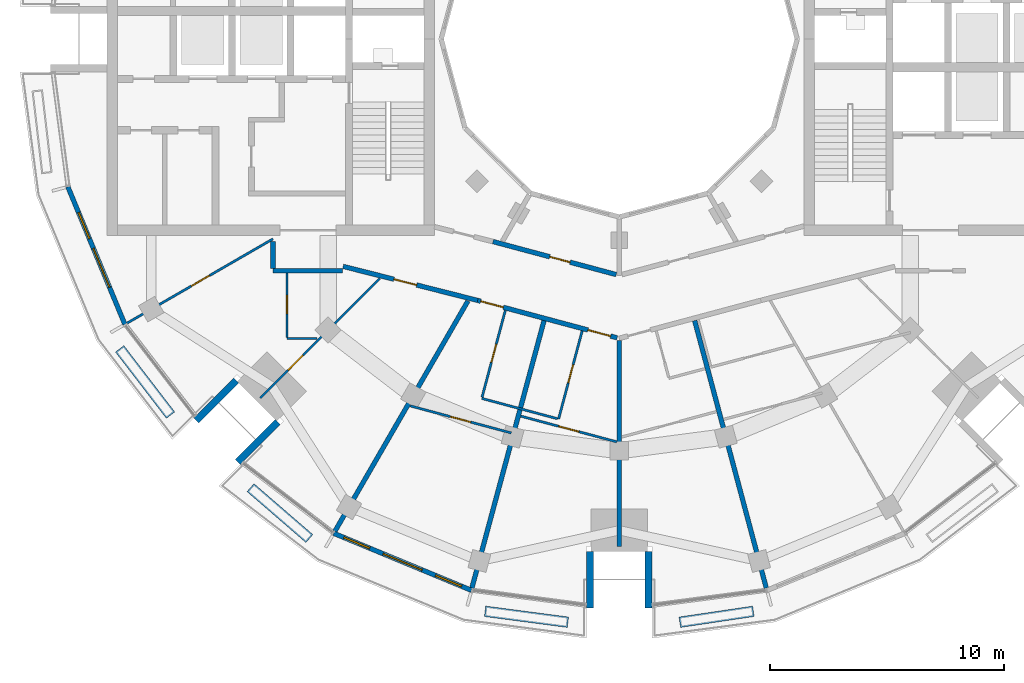
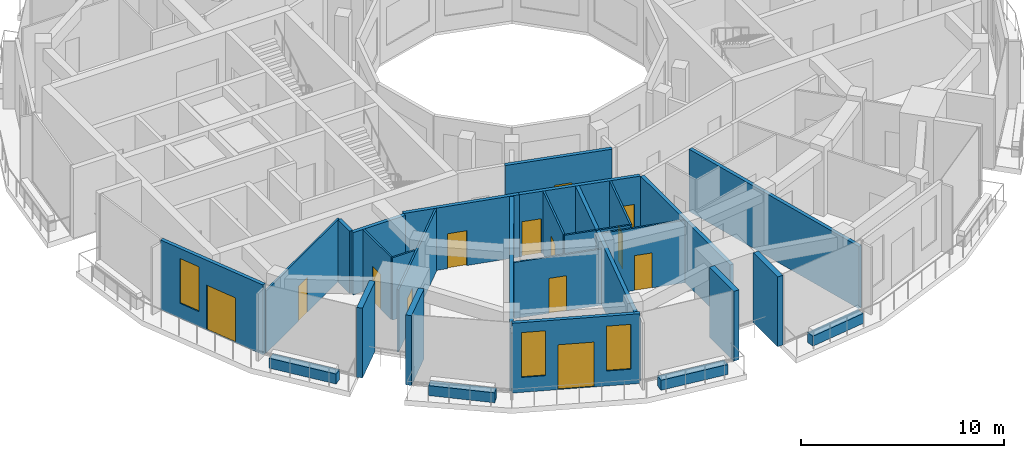
# One storey, part 8 of 17: 28 walls, 13 doors, 3 windows, 16 openings.
"""IFC4 building model written with IfcOpenShell, lengths in metres."""

from ifc_helpers import new_model, si_unit, direction, frame, frame_2d, origin, place, context, subcontext, project, spatial, rectangle, extrude, material, layer, layer_set, type_object, element, fill, save


model = new_model("IFC4")

# Units and contexts
model_context = context("Model", 3, precision=1e-05, world=origin(), true_north=direction((0.0, 1.0)))
body_context = subcontext(model_context, "Body", "Model", "MODEL_VIEW")
ifc_project = project(units=[si_unit("LENGTHUNIT", "METRE"), si_unit("AREAUNIT", "SQUARE_METRE"), si_unit("VOLUMEUNIT", "CUBIC_METRE"), si_unit("PLANEANGLEUNIT", "RADIAN"), si_unit("MASSUNIT", "GRAM", prefix="KILO")], contexts=[model_context])

# Site, building, storey
site_placement = place(None, origin())
site = spatial("IfcSite", under=ifc_project, at=site_placement, CompositionType="ELEMENT")
building_placement = place(site_placement, origin())
building = spatial("IfcBuilding", under=site, at=building_placement, Name="Torre Brocal", CompositionType="ELEMENT")
storey_placement = place(building_placement, frame((0.0, 0.0, 275.699951171875)))
storey = spatial("IfcBuildingStorey", under=building, at=storey_placement, Name="L63", CompositionType="ELEMENT", Elevation=275.699951171875)

# Wall, openings, door, window
ifc_material_1 = material(Name="Concrete C40", Category="concrete")
ifc_layer_1 = layer(ifc_material_1, 0.199951171875)
ifc_layer_set_1 = layer_set([ifc_layer_1], Name="Concrete C40")
wall_type_1 = type_object("IfcWallType", Name="EXTERNAL WALL 200", PredefinedType="NOTDEFINED", material=ifc_layer_set_1)
wall_1_placement = place(storey_placement, frame((56.43212890625, 68.68505859375, 0.0), z_axis=(0.0, 0.0, 1.0), x_axis=(0.382690319485, -0.923876679743, 0.0)))
wall_1 = element("IfcWall", 1, at=wall_1_placement, inside=storey, type_object=wall_type_1, Name="EXTERNAL WALL", PredefinedType="NOTDEFINED", context=body_context, shape_type="SweptSolid", body=[
    extrude(rectangle(XDim=6.369384765625, YDim=0.199951171875, at=frame_2d((3.1845703125, 0.0))), origin(), (0.0, 0.0, 1.0), 4.199951171875),
])
opening_1_placement = place(wall_1_placement, frame((1.199951171875, 0.0, 0.89990234375)))
opening_1 = element("IfcOpeningElement", 2, at=opening_1_placement, cuts=wall_1, Name="Opening W9", PredefinedType="OPENING", context=body_context, shape_type="SweptSolid", body=[
    extrude(rectangle(XDim=1.199951171875, YDim=2.699951171875, at=frame_2d((0.60009765625, 1.35009765625))), frame((0.0, 0.10986328125, 0.0), z_axis=(0.0, -1.0, 0.0), x_axis=(1.0, 0.0, 0.0)), (0.0, 0.0, 1.0), 0.219970703125),
])
opening_2_placement = place(wall_1_placement, frame((2.85009765625, 0.0, 0.0)))
opening_2 = element("IfcOpeningElement", 3, at=opening_2_placement, cuts=wall_1, Name="Opening L63-E05", PredefinedType="OPENING", context=body_context, shape_type="SweptSolid", body=[
    extrude(rectangle(XDim=1.800048828125, YDim=2.699951171875, at=frame_2d((0.89990234375, 1.35009765625))), frame((0.0, 0.10986328125, 0.0), z_axis=(0.0, -1.0, 0.0), x_axis=(1.0, 0.0, 0.0)), (0.0, 0.0, 1.0), 0.219970703125),
])
ifc_material_2 = material(Name="Aluminium and glass", Category="aluminium")
door_type_1 = type_object("IfcDoorType", Name="PENTHOUSE TERRACE DOUBLE DOOR 1800X2700", OperationType="DOUBLE_DOOR_SINGLE_SWING", PredefinedType="DOOR", material=ifc_material_2)
door_1_placement = place(opening_2_placement, frame((1.800048828125, 0.0, 0.0), z_axis=(0.0, 0.0, 1.0), x_axis=(-1.0, 0.0, 0.0)))
door_1 = element("IfcDoor", 4, at=door_1_placement, inside=storey, type_object=door_type_1, Name="DOOR L63-E05", OperationType="DOUBLE_DOOR_SINGLE_SWING", OverallHeight=2.699951171875, OverallWidth=1.800048828125, PredefinedType="DOOR", context=body_context, shape_type="SweptSolid", body=[
    extrude(rectangle(XDim=1.800048828125, YDim=2.699951171875, at=frame_2d((0.89990234375, 1.35009765625))), frame((0.0, 0.02490234375, 0.0), z_axis=(0.0, -1.0, 0.0), x_axis=(1.0, 0.0, 0.0)), (0.0, 0.0, 1.0), 0.050048828125),
])
fill(opening_2, door_1)
ifc_material_3 = material(Name="Aluminium and glass", Category="aluminium")
window_type = type_object("IfcWindowType", Name="PENTHOUSE TERRACE WINDOW 1200X2700", PartitioningType="SINGLE_PANEL", PredefinedType="WINDOW", material=ifc_material_3)
window_1_placement = place(opening_1_placement, origin())
window_1 = element("IfcWindow", 5, at=window_1_placement, inside=storey, type_object=window_type, Name="PENTHOUSE TERRACE WINDOW 1200X2700", OverallHeight=2.699951171875, OverallWidth=1.199951171875, PartitioningType="SINGLE_PANEL", PredefinedType="WINDOW", context=body_context, shape_type="SweptSolid", body=[
    extrude(rectangle(XDim=1.199951171875, YDim=2.699951171875, at=frame_2d((0.60009765625, 1.35009765625))), frame((0.0, 0.030029296875, 0.0), z_axis=(0.0, -1.0, 0.0), x_axis=(1.0, 0.0, 0.0)), (0.0, 0.0, 1.0), 0.06005859375),
])
fill(opening_1, window_1)

# Wall, openings, door, windows
wall_2_placement = place(storey_placement, frame((67.800537109375, 53.86962890625, 0.0), z_axis=(0.0, 0.0, 1.0), x_axis=(0.923876679743, -0.382690319485, 0.0)))
wall_2 = element("IfcWall", 6, at=wall_2_placement, inside=storey, type_object=wall_type_1, Name="EXTERNAL WALL", PredefinedType="NOTDEFINED", context=body_context, shape_type="SweptSolid", body=[
    extrude(rectangle(XDim=6.369384765625, YDim=0.199951171875, at=frame_2d((3.1845703125, 0.0))), origin(), (0.0, 0.0, 1.0), 4.199951171875),
])
opening_3_placement = place(wall_2_placement, frame((0.461669921875, 0.0, 0.89990234375)))
opening_3 = element("IfcOpeningElement", 7, at=opening_3_placement, cuts=wall_2, Name="Opening W9", PredefinedType="OPENING", context=body_context, shape_type="SweptSolid", body=[
    extrude(rectangle(XDim=1.199951171875, YDim=2.699951171875, at=frame_2d((0.60009765625, 1.35009765625))), frame((0.0, 0.10986328125, 0.0), z_axis=(0.0, -1.0, 0.0), x_axis=(1.0, 0.0, 0.0)), (0.0, 0.0, 1.0), 0.219970703125),
])
opening_4_placement = place(wall_2_placement, frame((2.28466796875, 0.0, 0.0)))
opening_4 = element("IfcOpeningElement", 8, at=opening_4_placement, cuts=wall_2, Name="Opening L63-E06", PredefinedType="OPENING", context=body_context, shape_type="SweptSolid", body=[
    extrude(rectangle(XDim=1.800048828125, YDim=2.699951171875, at=frame_2d((0.89990234375, 1.35009765625))), frame((0.0, 0.10986328125, 0.0), z_axis=(0.0, -1.0, 0.0), x_axis=(1.0, 0.0, 0.0)), (0.0, 0.0, 1.0), 0.219970703125),
])
opening_5_placement = place(wall_2_placement, frame((4.707763671875, 0.0, 0.89990234375)))
opening_5 = element("IfcOpeningElement", 9, at=opening_5_placement, cuts=wall_2, Name="Opening W9", PredefinedType="OPENING", context=body_context, shape_type="SweptSolid", body=[
    extrude(rectangle(XDim=1.199951171875, YDim=2.699951171875, at=frame_2d((0.60009765625, 1.35009765625))), frame((0.0, 0.10986328125, 0.0), z_axis=(0.0, -1.0, 0.0), x_axis=(1.0, 0.0, 0.0)), (0.0, 0.0, 1.0), 0.219970703125),
])
door_2_placement = place(opening_4_placement, frame((1.800048828125, 0.0, 0.0), z_axis=(0.0, 0.0, 1.0), x_axis=(-1.0, 0.0, 0.0)))
door_2 = element("IfcDoor", 10, at=door_2_placement, inside=storey, type_object=door_type_1, Name="DOOR L63-E06", OperationType="DOUBLE_DOOR_SINGLE_SWING", OverallHeight=2.699951171875, OverallWidth=1.800048828125, PredefinedType="DOOR", context=body_context, shape_type="SweptSolid", body=[
    extrude(rectangle(XDim=1.800048828125, YDim=2.699951171875, at=frame_2d((0.89990234375, 1.35009765625))), frame((0.0, 0.02490234375, 0.0), z_axis=(0.0, -1.0, 0.0), x_axis=(1.0, 0.0, 0.0)), (0.0, 0.0, 1.0), 0.050048828125),
])
fill(opening_4, door_2)
window_2_placement = place(opening_3_placement, origin())
window_2 = element("IfcWindow", 11, at=window_2_placement, inside=storey, type_object=window_type, Name="PENTHOUSE TERRACE WINDOW 1200X2700", OverallHeight=2.699951171875, OverallWidth=1.199951171875, PartitioningType="SINGLE_PANEL", PredefinedType="WINDOW", context=body_context, shape_type="SweptSolid", body=[
    extrude(rectangle(XDim=1.199951171875, YDim=2.699951171875, at=frame_2d((0.60009765625, 1.35009765625))), frame((0.0, 0.030029296875, 0.0), z_axis=(0.0, -1.0, 0.0), x_axis=(1.0, 0.0, 0.0)), (0.0, 0.0, 1.0), 0.06005859375),
])
fill(opening_3, window_2)
window_3_placement = place(opening_5_placement, origin())
window_3 = element("IfcWindow", 12, at=window_3_placement, inside=storey, type_object=window_type, Name="PENTHOUSE TERRACE WINDOW 1200X2700", OverallHeight=2.699951171875, OverallWidth=1.199951171875, PartitioningType="SINGLE_PANEL", PredefinedType="WINDOW", context=body_context, shape_type="SweptSolid", body=[
    extrude(rectangle(XDim=1.199951171875, YDim=2.699951171875, at=frame_2d((0.60009765625, 1.35009765625))), frame((0.0, 0.030029296875, 0.0), z_axis=(0.0, -1.0, 0.0), x_axis=(1.0, 0.0, 0.0)), (0.0, 0.0, 1.0), 0.06005859375),
])
fill(opening_5, window_3)

# Walls
ifc_material_4 = material(Name="Concrete C50", Category="concrete")
ifc_layer_2 = layer(ifc_material_4, 0.300048828125)
ifc_layer_set_2 = layer_set([ifc_layer_2], Name="Concrete C50")
wall_type_2 = type_object("IfcWallType", Name="NOTCH RETURN WALL 300 C50", PredefinedType="NOTDEFINED", material=ifc_layer_set_2)
for number, where, z_axis, x_axis, name in (
    (13, (63.63037109375, 60.398193359375, 0.0), (0.0, 0.0, 1.0), (-0.707106781187, -0.707106781187, 0.0), "NOTCH RETURN WALL"),
    (14, (65.398193359375, 58.63037109375, 0.0), (0.0, 0.0, 1.0), (-0.707106781187, -0.707106781187, 0.0), "NOTCH RETURN WALL"),
):
    element("IfcWall", number, at=place(storey_placement, frame(where, z_axis=z_axis, x_axis=x_axis)), inside=storey, type_object=wall_type_2, Name=name, PredefinedType="NOTDEFINED", context=body_context, shape_type="SweptSolid", body=[
        extrude(rectangle(XDim=2.41552734375, YDim=0.300048828125, at=frame_2d((1.207763671875, 0.0))), origin(), (0.0, 0.0, 1.0), 4.199951171875),
    ])
for number, where, z_axis, x_axis, name in (
    (15, (78.75, 53.10009765625, 0.0), (0.0, 0.0, 1.0), (0.0, -1.0, 0.0), "NOTCH RETURN WALL"),
    (16, (81.25, 53.10009765625, 0.0), (0.0, 0.0, 1.0), (0.0, -1.0, 0.0), "NOTCH RETURN WALL"),
):
    element("IfcWall", number, at=place(storey_placement, frame(where, z_axis=z_axis, x_axis=x_axis)), inside=storey, type_object=wall_type_2, Name=name, PredefinedType="NOTDEFINED", context=body_context, shape_type="SweptSolid", body=[
        extrude(rectangle(XDim=2.415771484375, YDim=0.300048828125, at=frame_2d((1.2080078125, 0.0))), origin(), (0.0, 0.0, 1.0), 4.199951171875),
    ])

# Wall, opening, door
ifc_material_5 = material(Name="Gypsum board", Category="Gypsum")
ifc_layer_3 = layer(ifc_material_5, 0.10009765625)
ifc_layer_set_3 = layer_set([ifc_layer_3], Name="Gypsum board")
wall_type_3 = type_object("IfcWallType", Name="PARTITION 100", PredefinedType="PARTITIONING", material=ifc_layer_set_3)
wall_3_placement = place(storey_placement, frame((58.95751953125, 62.851318359375, 0.0), z_axis=(0.0, 0.0, 1.0), x_axis=(0.866044015472, 0.499967762227, 0.0)))
wall_3 = element("IfcWall", 17, at=wall_3_placement, inside=storey, type_object=wall_type_3, Name="ROOM PARTITION", PredefinedType="PARTITIONING", context=body_context, shape_type="SweptSolid", body=[
    extrude(rectangle(XDim=7.2080078125, YDim=0.10009765625, at=frame_2d((3.60400390625, 0.0))), origin(), (0.0, 0.0, 1.0), 3.75),
])
opening_6_placement = place(wall_3_placement, frame((3.178955078125, 0.0, 0.0)))
opening_6 = element("IfcOpeningElement", 18, at=opening_6_placement, cuts=wall_3, Name="Opening N01-D40", PredefinedType="OPENING", context=body_context, shape_type="SweptSolid", body=[
    extrude(rectangle(XDim=0.89990234375, YDim=2.10009765625, at=frame_2d((0.449951171875, 1.050048828125))), frame((0.0, 0.06005859375, 0.0), z_axis=(0.0, -1.0, 0.0), x_axis=(1.0, 0.0, 0.0)), (0.0, 0.0, 1.0), 0.1201171875),
])
ifc_material_6 = material(Name="Timber", Category="wood")
door_type_2 = type_object("IfcDoorType", Name="ROOM DOOR 900X2100", OperationType="SINGLE_SWING_LEFT", PredefinedType="DOOR", material=ifc_material_6)
door_3_placement = place(opening_6_placement, origin())
door_3 = element("IfcDoor", 19, at=door_3_placement, inside=storey, type_object=door_type_2, Name="N01-D40", OperationType="SINGLE_SWING_RIGHT", OverallHeight=2.10009765625, OverallWidth=0.89990234375, PredefinedType="DOOR", context=body_context, shape_type="SweptSolid", body=[
    extrude(rectangle(XDim=0.89990234375, YDim=2.10009765625, at=frame_2d((0.449951171875, 1.050048828125))), frame((0.0, 0.02490234375, 0.0), z_axis=(0.0, -1.0, 0.0), x_axis=(1.0, 0.0, 0.0)), (0.0, 0.0, 1.0), 0.050048828125),
])
fill(opening_6, door_3)

wall_4_placement = place(storey_placement, frame((64.655517578125, 59.655517578125, 0.0), z_axis=(0.0, 0.0, 1.0), x_axis=(0.707106781187, 0.707106781187, 0.0)))
wall_4 = element("IfcWall", 20, at=wall_4_placement, inside=storey, type_object=wall_type_3, Name="BATHROOM WALL", PredefinedType="PARTITIONING", context=body_context, shape_type="SweptSolid", body=[
    extrude(rectangle(XDim=7.22021484375, YDim=0.10009765625, at=frame_2d((3.610107421875, 0.0))), origin(), (0.0, 0.0, 1.0), 3.75),
])
opening_7_placement = place(wall_4_placement, frame((1.68408203125, 0.0, 0.0)))
opening_7 = element("IfcOpeningElement", 21, at=opening_7_placement, cuts=wall_4, Name="Opening N01-D38", PredefinedType="OPENING", context=body_context, shape_type="SweptSolid", body=[
    extrude(rectangle(XDim=0.89990234375, YDim=2.10009765625, at=frame_2d((0.449951171875, 1.050048828125))), frame((0.0, 0.06005859375, 0.0), z_axis=(0.0, -1.0, 0.0), x_axis=(1.0, 0.0, 0.0)), (0.0, 0.0, 1.0), 0.1201171875),
])
door_4_placement = place(opening_7_placement, origin())
door_4 = element("IfcDoor", 22, at=door_4_placement, inside=storey, type_object=door_type_2, Name="N01-D38", OperationType="SINGLE_SWING_RIGHT", OverallHeight=2.10009765625, OverallWidth=0.89990234375, PredefinedType="DOOR", context=body_context, shape_type="SweptSolid", body=[
    extrude(rectangle(XDim=0.89990234375, YDim=2.10009765625, at=frame_2d((0.449951171875, 1.050048828125))), frame((0.0, 0.02490234375, 0.0), z_axis=(0.0, -1.0, 0.0), x_axis=(1.0, 0.0, 0.0)), (0.0, 0.0, 1.0), 0.050048828125),
])
fill(opening_7, door_4)

wall_5_placement = place(storey_placement, frame((65.800048828125, 62.25, 0.0), z_axis=(0.0, 0.0, 1.0), x_axis=(0.0, 1.0, 0.0)))
wall_5 = element("IfcWall", 23, at=wall_5_placement, inside=storey, type_object=wall_type_3, Name="BATHROOM WALL", PredefinedType="PARTITIONING", context=body_context, shape_type="SweptSolid", body=[
    extrude(rectangle(XDim=2.75, YDim=0.10009765625, at=frame_2d((1.375, 0.0))), origin(), (0.0, 0.0, 1.0), 3.75),
])
opening_8_placement = place(wall_5_placement, frame((1.0, 0.0, 0.0)))
opening_8 = element("IfcOpeningElement", 24, at=opening_8_placement, cuts=wall_5, Name="Opening N01-D39", PredefinedType="OPENING", context=body_context, shape_type="SweptSolid", body=[
    extrude(rectangle(XDim=0.800048828125, YDim=2.10009765625, at=frame_2d((0.39990234375, 1.050048828125))), frame((0.0, 0.06005859375, 0.0), z_axis=(0.0, -1.0, 0.0), x_axis=(1.0, 0.0, 0.0)), (0.0, 0.0, 1.0), 0.1201171875),
])
ifc_material_7 = material(Name="Timber", Category="wood")
door_type_3 = type_object("IfcDoorType", Name="BATHROOM DOOR 800X2100", OperationType="SINGLE_SWING_LEFT", PredefinedType="DOOR", material=ifc_material_7)
door_5_placement = place(opening_8_placement, frame((0.800048828125, 0.0, 0.0), z_axis=(0.0, 0.0, 1.0), x_axis=(-1.0, 0.0, 0.0)))
door_5 = element("IfcDoor", 25, at=door_5_placement, inside=storey, type_object=door_type_3, Name="N01-D39", OperationType="SINGLE_SWING_LEFT", OverallHeight=2.10009765625, OverallWidth=0.800048828125, PredefinedType="DOOR", context=body_context, shape_type="SweptSolid", body=[
    extrude(rectangle(XDim=0.800048828125, YDim=2.10009765625, at=frame_2d((0.39990234375, 1.050048828125))), frame((0.0, 0.02490234375, 0.0), z_axis=(0.0, -1.0, 0.0), x_axis=(1.0, 0.0, 0.0)), (0.0, 0.0, 1.0), 0.050048828125),
])
fill(opening_8, door_5)

# Wall
wall_6_placement = place(storey_placement, frame((65.800048828125, 62.199951171875, 0.0), z_axis=(0.0, 0.0, 1.0), x_axis=(1.0, 0.0, 0.0)))
element("IfcWall", 26, at=wall_6_placement, inside=storey, type_object=wall_type_3, Name="BATHROOM WALL", PredefinedType="PARTITIONING", context=body_context, shape_type="SweptSolid", body=[
    extrude(rectangle(XDim=1.2900390625, YDim=0.10009765625, at=frame_2d((0.64501953125, 0.0))), origin(), (0.0, 0.0, 1.0), 3.75),
])

# Wall, opening, door
wall_7_placement = place(storey_placement, frame((74.135986328125, 59.686279296875, 0.0), z_axis=(0.0, 0.0, 1.0), x_axis=(0.259020336752, 0.965871867873, 0.0)))
wall_7 = element("IfcWall", 27, at=wall_7_placement, inside=storey, type_object=wall_type_3, Name="BATHROOM WALL", PredefinedType="PARTITIONING", context=body_context, shape_type="SweptSolid", body=[
    extrude(rectangle(XDim=3.849365234375, YDim=0.10009765625, at=frame_2d((1.9248046875, 0.0))), origin(), (0.0, 0.0, 1.0), 3.75),
])
opening_9_placement = place(wall_7_placement, frame((1.5498046875, 0.0, 0.0)))
opening_9 = element("IfcOpeningElement", 28, at=opening_9_placement, cuts=wall_7, Name="Opening N01-D36", PredefinedType="OPENING", context=body_context, shape_type="SweptSolid", body=[
    extrude(rectangle(XDim=0.800048828125, YDim=2.10009765625, at=frame_2d((0.39990234375, 1.050048828125))), frame((0.0, 0.06005859375, 0.0), z_axis=(0.0, -1.0, 0.0), x_axis=(1.0, 0.0, 0.0)), (0.0, 0.0, 1.0), 0.1201171875),
])
door_6_placement = place(opening_9_placement, frame((0.800048828125, 0.0, 0.0), z_axis=(0.0, 0.0, 1.0), x_axis=(-1.0, 0.0, 0.0)))
door_6 = element("IfcDoor", 29, at=door_6_placement, inside=storey, type_object=door_type_3, Name="N01-D36", OperationType="SINGLE_SWING_LEFT", OverallHeight=2.10009765625, OverallWidth=0.800048828125, PredefinedType="DOOR", context=body_context, shape_type="SweptSolid", body=[
    extrude(rectangle(XDim=0.800048828125, YDim=2.10009765625, at=frame_2d((0.39990234375, 1.050048828125))), frame((0.0, 0.02490234375, 0.0), z_axis=(0.0, -1.0, 0.0), x_axis=(1.0, 0.0, 0.0)), (0.0, 0.0, 1.0), 0.050048828125),
])
fill(opening_9, door_6)

# Wall
wall_8_placement = place(storey_placement, frame((74.123046875, 59.637939453125, 0.0), z_axis=(0.0, 0.0, 1.0), x_axis=(0.965820152698, -0.259213102761, 0.0)))
element("IfcWall", 30, at=wall_8_placement, inside=storey, type_object=wall_type_3, Name="BATHROOM WALL", PredefinedType="PARTITIONING", context=body_context, shape_type="SweptSolid", body=[
    extrude(rectangle(XDim=3.35107421875, YDim=0.10009765625, at=frame_2d((1.675537109375, 0.0))), origin(), (0.0, 0.0, 1.0), 3.75),
])

# Wall, opening, door
wall_9_placement = place(storey_placement, frame((75.794677734375, 58.87939453125, 0.0), z_axis=(0.0, 0.0, 1.0), x_axis=(0.965895141847, -0.258933533857, 0.0)))
wall_9 = element("IfcWall", 31, at=wall_9_placement, inside=storey, type_object=wall_type_3, Name="ROOM PARTITION", PredefinedType="PARTITIONING", context=body_context, shape_type="SweptSolid", body=[
    extrude(rectangle(XDim=4.243896484375, YDim=0.10009765625, at=frame_2d((2.1220703125, 0.0))), origin(), (0.0, 0.0, 1.0), 3.75),
])
opening_10_placement = place(wall_9_placement, frame((1.671630859375, 0.0, 0.0)))
opening_10 = element("IfcOpeningElement", 32, at=opening_10_placement, cuts=wall_9, Name="Opening N01-D31", PredefinedType="OPENING", context=body_context, shape_type="SweptSolid", body=[
    extrude(rectangle(XDim=0.89990234375, YDim=2.10009765625, at=frame_2d((0.449951171875, 1.050048828125))), frame((0.0, 0.06005859375, 0.0), z_axis=(0.0, -1.0, 0.0), x_axis=(1.0, 0.0, 0.0)), (0.0, 0.0, 1.0), 0.1201171875),
])
door_7_placement = place(opening_10_placement, origin())
door_7 = element("IfcDoor", 33, at=door_7_placement, inside=storey, type_object=door_type_2, Name="N01-D31", OperationType="SINGLE_SWING_LEFT", OverallHeight=2.10009765625, OverallWidth=0.89990234375, PredefinedType="DOOR", context=body_context, shape_type="SweptSolid", body=[
    extrude(rectangle(XDim=0.89990234375, YDim=2.10009765625, at=frame_2d((0.449951171875, 1.050048828125))), frame((0.0, 0.02490234375, 0.0), z_axis=(0.0, -1.0, 0.0), x_axis=(1.0, 0.0, 0.0)), (0.0, 0.0, 1.0), 0.050048828125),
])
fill(opening_10, door_7)

wall_10_placement = place(storey_placement, frame((77.407958984375, 58.757080078125, 0.0), z_axis=(0.0, 0.0, 1.0), x_axis=(0.258718354301, 0.965952800683, 0.0)))
wall_10 = element("IfcWall", 34, at=wall_10_placement, inside=storey, type_object=wall_type_3, Name="BATHROOM WALL", PredefinedType="PARTITIONING", context=body_context, shape_type="SweptSolid", body=[
    extrude(rectangle(XDim=3.900146484375, YDim=0.10009765625, at=frame_2d((1.9501953125, 0.0))), origin(), (0.0, 0.0, 1.0), 3.75),
])
opening_11_placement = place(wall_10_placement, frame((1.60009765625, 0.0, 0.0)))
opening_11 = element("IfcOpeningElement", 35, at=opening_11_placement, cuts=wall_10, Name="Opening N01-D33", PredefinedType="OPENING", context=body_context, shape_type="SweptSolid", body=[
    extrude(rectangle(XDim=0.800048828125, YDim=2.10009765625, at=frame_2d((0.39990234375, 1.050048828125))), frame((0.0, 0.06005859375, 0.0), z_axis=(0.0, -1.0, 0.0), x_axis=(1.0, 0.0, 0.0)), (0.0, 0.0, 1.0), 0.1201171875),
])
door_8_placement = place(opening_11_placement, origin())
door_8 = element("IfcDoor", 36, at=door_8_placement, inside=storey, type_object=door_type_3, Name="N01-D33", OperationType="SINGLE_SWING_RIGHT", OverallHeight=2.10009765625, OverallWidth=0.800048828125, PredefinedType="DOOR", context=body_context, shape_type="SweptSolid", body=[
    extrude(rectangle(XDim=0.800048828125, YDim=2.10009765625, at=frame_2d((0.39990234375, 1.050048828125))), frame((0.0, 0.02490234375, 0.0), z_axis=(0.0, -1.0, 0.0), x_axis=(1.0, 0.0, 0.0)), (0.0, 0.0, 1.0), 0.050048828125),
])
fill(opening_11, door_8)

ifc_material_8 = material(Name="Gypsum board", Category="Gypsum")
ifc_layer_4 = layer(ifc_material_8, 0.10009765625)
ifc_layer_set_4 = layer_set([ifc_layer_4], Name="Gypsum board")
wall_type_4 = type_object("IfcWallType", Name="PARTITION 100 UNDER BEAM 820", PredefinedType="PARTITIONING", material=ifc_layer_set_4)
wall_11_placement = place(storey_placement, frame((71.068359375, 59.3173828125, 0.0), z_axis=(0.0, 0.0, 1.0), x_axis=(0.965923173799, -0.258828944127, 0.0)))
wall_11 = element("IfcWall", 37, at=wall_11_placement, inside=storey, type_object=wall_type_4, Name="ROOM PARTITION", PredefinedType="PARTITIONING", context=body_context, shape_type="SweptSolid", body=[
    extrude(rectangle(XDim=4.46826171875, YDim=0.10009765625, at=frame_2d((2.234130859375, 0.0))), origin(), (0.0, 0.0, 1.0), 3.380126953125),
])
opening_12_placement = place(wall_11_placement, frame((1.779296875, 0.0, 0.0)))
opening_12 = element("IfcOpeningElement", 38, at=opening_12_placement, cuts=wall_11, Name="Opening N01-D34", PredefinedType="OPENING", context=body_context, shape_type="SweptSolid", body=[
    extrude(rectangle(XDim=0.89990234375, YDim=2.10009765625, at=frame_2d((0.449951171875, 1.050048828125))), frame((0.0, 0.06005859375, 0.0), z_axis=(0.0, -1.0, 0.0), x_axis=(1.0, 0.0, 0.0)), (0.0, 0.0, 1.0), 0.1201171875),
])
door_9_placement = place(opening_12_placement, origin())
door_9 = element("IfcDoor", 39, at=door_9_placement, inside=storey, type_object=door_type_2, Name="N01-D34", OperationType="SINGLE_SWING_LEFT", OverallHeight=2.10009765625, OverallWidth=0.89990234375, PredefinedType="DOOR", context=body_context, shape_type="SweptSolid", body=[
    extrude(rectangle(XDim=0.89990234375, YDim=2.10009765625, at=frame_2d((0.449951171875, 1.050048828125))), frame((0.0, 0.02490234375, 0.0), z_axis=(0.0, -1.0, 0.0), x_axis=(1.0, 0.0, 0.0)), (0.0, 0.0, 1.0), 0.050048828125),
])
fill(opening_12, door_9)

# Walls
ifc_material_9 = material(Name="Gypsum board", Category="Gypsum")
ifc_layer_5 = layer(ifc_material_9, 0.199951171875)
ifc_layer_set_5 = layer_set([ifc_layer_5], Name="Gypsum board")
wall_type_5 = type_object("IfcWallType", Name="PARTITION 200 EI60", PredefinedType="PARTITIONING", material=ifc_layer_set_5)
wall_12_placement = place(storey_placement, frame((65.199951171875, 65.199951171875, 0.0), z_axis=(0.0, 0.0, 1.0), x_axis=(0.0, 1.0, 0.0)))
element("IfcWall", 40, at=wall_12_placement, inside=storey, type_object=wall_type_5, Name="GUESTROOM CORRIDOR WALL", PredefinedType="PARTITIONING", context=body_context, shape_type="SweptSolid", body=[
    extrude(rectangle(XDim=1.150146484375, YDim=0.199951171875, at=frame_2d((0.5751953125, 0.0))), origin(), (0.0, 0.0, 1.0), 3.75),
])
wall_13_placement = place(storey_placement, frame((65.199951171875, 65.10009765625, 0.0), z_axis=(0.0, 0.0, 1.0), x_axis=(1.0, 0.0, 0.0)))
element("IfcWall", 41, at=wall_13_placement, inside=storey, type_object=wall_type_5, Name="GUESTROOM CORRIDOR WALL", PredefinedType="PARTITIONING", context=body_context, shape_type="SweptSolid", body=[
    extrude(rectangle(XDim=2.97998046875, YDim=0.199951171875, at=frame_2d((1.489990234375, 0.0))), origin(), (0.0, 0.0, 1.0), 3.75),
])
wall_14_placement = place(storey_placement, frame((67.848388671875, 53.959228515625, 0.0), z_axis=(0.0, 0.0, 1.0), x_axis=(0.500121565392, 0.865955206595, 0.0)))
element("IfcWall", 42, at=wall_14_placement, inside=storey, type_object=wall_type_5, Name="PARTY PARTITION", PredefinedType="PARTITIONING", context=body_context, shape_type="SweptSolid", body=[
    extrude(rectangle(XDim=11.366455078125, YDim=0.199951171875, at=frame_2d((5.68310546875, 0.0))), origin(), (0.0, 0.0, 1.0), 3.75),
])

# Wall, opening, door
wall_15_placement = place(storey_placement, frame((68.199951171875, 65.280029296875, 0.0), z_axis=(0.0, 0.0, 1.0), x_axis=(0.969440802773, -0.24532535523, 0.0)))
wall_15 = element("IfcWall", 43, at=wall_15_placement, inside=storey, type_object=wall_type_5, Name="FLAT ENTRANCE WALL", PredefinedType="PARTITIONING", context=body_context, shape_type="SweptSolid", body=[
    extrude(rectangle(XDim=5.92822265625, YDim=0.199951171875, at=frame_2d((2.964111328125, 0.0))), origin(), (0.0, 0.0, 1.0), 3.75),
])
opening_13_placement = place(wall_15_placement, frame((2.238525390625, 0.0, 0.0)))
opening_13 = element("IfcOpeningElement", 44, at=opening_13_placement, cuts=wall_15, Name="Opening N01-D37", PredefinedType="OPENING", context=body_context, shape_type="SweptSolid", body=[
    extrude(rectangle(XDim=1.0, YDim=2.10009765625, at=frame_2d((0.5, 1.050048828125))), frame((0.0, 0.10986328125, 0.0), z_axis=(0.0, -1.0, 0.0), x_axis=(1.0, 0.0, 0.0)), (0.0, 0.0, 1.0), 0.219970703125),
])
ifc_material_10 = material(Name="Timber", Category="wood")
door_type_4 = type_object("IfcDoorType", Name="FLAT ENTRY DOOR FD30S 1000X2100", OperationType="SINGLE_SWING_RIGHT", PredefinedType="DOOR", material=ifc_material_10)
door_10_placement = place(opening_13_placement, frame((1.0, 0.0, 0.0), z_axis=(0.0, 0.0, 1.0), x_axis=(-1.0, 0.0, 0.0)))
door_10 = element("IfcDoor", 45, at=door_10_placement, inside=storey, type_object=door_type_4, Name="N01-D37", OperationType="SINGLE_SWING_RIGHT", OverallHeight=2.10009765625, OverallWidth=1.0, PredefinedType="DOOR", context=body_context, shape_type="SweptSolid", body=[
    extrude(rectangle(XDim=1.0, YDim=2.10009765625, at=frame_2d((0.5, 1.050048828125))), frame((0.0, 0.02490234375, 0.0), z_axis=(0.0, -1.0, 0.0), x_axis=(1.0, 0.0, 0.0)), (0.0, 0.0, 1.0), 0.050048828125),
])
fill(opening_13, door_10)

# Wall
wall_16_placement = place(storey_placement, frame((73.701904296875, 51.5322265625, 0.0), z_axis=(0.0, 0.0, 1.0), x_axis=(0.2605791587, 0.965452485652, 0.0)))
element("IfcWall", 46, at=wall_16_placement, inside=storey, type_object=wall_type_5, Name="BATHROOM WALL", PredefinedType="PARTITIONING", context=body_context, shape_type="SweptSolid", body=[
    extrude(rectangle(XDim=11.837890625, YDim=0.199951171875, at=frame_2d((5.9189453125, 0.0))), origin(), (0.0, 0.0, 1.0), 3.75),
])

# Wall, openings, doors
wall_17_placement = place(storey_placement, frame((73.947021484375, 63.826171875, 0.0), z_axis=(0.0, 0.0, 1.0), x_axis=(0.965872508768, -0.25901794688, 0.0)))
wall_17 = element("IfcWall", 47, at=wall_17_placement, inside=storey, type_object=wall_type_5, Name="FLAT ENTRANCE WALL", PredefinedType="PARTITIONING", context=body_context, shape_type="SweptSolid", body=[
    extrude(rectangle(XDim=6.176513671875, YDim=0.199951171875, at=frame_2d((3.08837890625, 0.0))), origin(), (0.0, 0.0, 1.0), 3.75),
])
opening_14_placement = place(wall_17_placement, frame((4.885009765625, 0.0, 0.0)))
opening_14 = element("IfcOpeningElement", 48, at=opening_14_placement, cuts=wall_17, Name="Opening N01-D32", PredefinedType="OPENING", context=body_context, shape_type="SweptSolid", body=[
    extrude(rectangle(XDim=1.0, YDim=2.10009765625, at=frame_2d((0.5, 1.050048828125))), frame((0.0, 0.10986328125, 0.0), z_axis=(0.0, -1.0, 0.0), x_axis=(1.0, 0.0, 0.0)), (0.0, 0.0, 1.0), 0.219970703125),
])
opening_15_placement = place(wall_17_placement, frame((0.13720703125, 0.0, 0.0)))
opening_15 = element("IfcOpeningElement", 49, at=opening_15_placement, cuts=wall_17, Name="Opening N01-D35", PredefinedType="OPENING", context=body_context, shape_type="SweptSolid", body=[
    extrude(rectangle(XDim=1.0, YDim=2.10009765625, at=frame_2d((0.5, 1.050048828125))), frame((0.0, 0.10986328125, 0.0), z_axis=(0.0, -1.0, 0.0), x_axis=(1.0, 0.0, 0.0)), (0.0, 0.0, 1.0), 0.219970703125),
])
door_11_placement = place(opening_14_placement, frame((1.0, 0.0, 0.0), z_axis=(0.0, 0.0, 1.0), x_axis=(-1.0, 0.0, 0.0)))
door_11 = element("IfcDoor", 50, at=door_11_placement, inside=storey, type_object=door_type_4, Name="N01-D32", OperationType="SINGLE_SWING_RIGHT", OverallHeight=2.10009765625, OverallWidth=1.0, PredefinedType="DOOR", context=body_context, shape_type="SweptSolid", body=[
    extrude(rectangle(XDim=1.0, YDim=2.10009765625, at=frame_2d((0.5, 1.050048828125))), frame((0.0, 0.02490234375, 0.0), z_axis=(0.0, -1.0, 0.0), x_axis=(1.0, 0.0, 0.0)), (0.0, 0.0, 1.0), 0.050048828125),
])
fill(opening_14, door_11)
door_12_placement = place(opening_15_placement, frame((1.0, 0.0, 0.0), z_axis=(0.0, 0.0, 1.0), x_axis=(-1.0, 0.0, 0.0)))
door_12 = element("IfcDoor", 51, at=door_12_placement, inside=storey, type_object=door_type_4, Name="N01-D35", OperationType="SINGLE_SWING_LEFT", OverallHeight=2.10009765625, OverallWidth=1.0, PredefinedType="DOOR", context=body_context, shape_type="SweptSolid", body=[
    extrude(rectangle(XDim=1.0, YDim=2.10009765625, at=frame_2d((0.5, 1.050048828125))), frame((0.0, 0.02490234375, 0.0), z_axis=(0.0, -1.0, 0.0), x_axis=(1.0, 0.0, 0.0)), (0.0, 0.0, 1.0), 0.050048828125),
])
fill(opening_15, door_12)

# Wall, opening, door
wall_18_placement = place(storey_placement, frame((74.60302734375, 66.342041015625, 0.0), z_axis=(0.0, 0.0, 1.0), x_axis=(0.965920893652, -0.258837453254, 0.0)))
wall_18 = element("IfcWall", 52, at=wall_18_placement, inside=storey, type_object=wall_type_5, Name="CORRIDOR WALL", PredefinedType="PARTITIONING", context=body_context, shape_type="SweptSolid", body=[
    extrude(rectangle(XDim=5.45751953125, YDim=0.199951171875, at=frame_2d((2.728759765625, 0.0))), origin(), (0.0, 0.0, 1.0), 3.75),
])
opening_16_placement = place(wall_18_placement, frame((2.512451171875, 0.0, 0.0)))
opening_16 = element("IfcOpeningElement", 53, at=opening_16_placement, cuts=wall_18, Name="Opening N01-D43", PredefinedType="OPENING", context=body_context, shape_type="SweptSolid", body=[
    extrude(rectangle(XDim=0.89990234375, YDim=2.10009765625, at=frame_2d((0.449951171875, 1.050048828125))), frame((0.0, 0.10986328125, 0.0), z_axis=(0.0, -1.0, 0.0), x_axis=(1.0, 0.0, 0.0)), (0.0, 0.0, 1.0), 0.219970703125),
])
door_13_placement = place(opening_16_placement, origin())
door_13 = element("IfcDoor", 54, at=door_13_placement, inside=storey, type_object=door_type_2, Name="N01-D43", OperationType="SINGLE_SWING_LEFT", OverallHeight=2.10009765625, OverallWidth=0.89990234375, PredefinedType="DOOR", context=body_context, shape_type="SweptSolid", body=[
    extrude(rectangle(XDim=0.89990234375, YDim=2.10009765625, at=frame_2d((0.449951171875, 1.050048828125))), frame((0.0, 0.02490234375, 0.0), z_axis=(0.0, -1.0, 0.0), x_axis=(1.0, 0.0, 0.0)), (0.0, 0.0, 1.0), 0.050048828125),
])
fill(opening_16, door_13)

# Walls
wall_19_placement = place(storey_placement, frame((80.0, 53.300048828125, 0.0), z_axis=(0.0, 0.0, 1.0), x_axis=(0.0, 1.0, 0.0)))
element("IfcWall", 55, at=wall_19_placement, inside=storey, type_object=wall_type_5, Name="PARTY PARTITION", PredefinedType="PARTITIONING", context=body_context, shape_type="SweptSolid", body=[
    extrude(rectangle(XDim=8.81396484375, YDim=0.199951171875, at=frame_2d((4.406982421875, 0.0))), origin(), (0.0, 0.0, 1.0), 3.75),
])
wall_20_placement = place(storey_placement, frame((83.22509765625, 62.964599609375, 0.0), z_axis=(0.0, 0.0, 1.0), x_axis=(0.258656021451, -0.965969493601, 0.0)))
element("IfcWall", 56, at=wall_20_placement, inside=storey, type_object=wall_type_5, Name="BATHROOM WALL", PredefinedType="PARTITIONING", context=body_context, shape_type="SweptSolid", body=[
    extrude(rectangle(XDim=11.838134765625, YDim=0.199951171875, at=frame_2d((5.9189453125, 0.0))), origin(), (0.0, 0.0, 1.0), 3.75),
])
ifc_material_11 = material(Name="Concrete C35", Category="concrete")
ifc_layer_6 = layer(ifc_material_11, 0.449951171875)
ifc_layer_set_6 = layer_set([ifc_layer_6], Name="Concrete C35")
wall_type_6 = type_object("IfcWallType", Name="PLANTER WALL 450 THICK 600 HIGH", PredefinedType="USERDEFINED", material=ifc_layer_set_6)
wall_21_placement = place(storey_placement, frame((58.647216796875, 61.756103515625, 0.0), z_axis=(0.0, 0.0, 1.0), x_axis=(0.608768756855, -0.793347717383, 0.0)))
element("IfcWall", 57, at=wall_21_placement, inside=storey, type_object=wall_type_6, Name="PLANTER", ObjectType="PLANTER", PredefinedType="USERDEFINED", context=body_context, shape_type="SweptSolid", body=[
    extrude(rectangle(XDim=3.5712890625, YDim=0.449951171875, at=frame_2d((1.78564453125, 0.0))), origin(), (0.0, 0.0, 1.0), 0.60009765625),
])
wall_22_placement = place(storey_placement, frame((64.240234375, 55.8212890625, 0.0), z_axis=(0.0, 0.0, 1.0), x_axis=(0.75663311645, -0.65383967996, 0.0)))
element("IfcWall", 58, at=wall_22_placement, inside=storey, type_object=wall_type_6, Name="PLANTER", ObjectType="PLANTER", PredefinedType="USERDEFINED", context=body_context, shape_type="SweptSolid", body=[
    extrude(rectangle(XDim=3.3251953125, YDim=0.449951171875, at=frame_2d((1.66259765625, 0.0))), origin(), (0.0, 0.0, 1.0), 0.60009765625),
])
wall_23_placement = place(storey_placement, frame((74.26611328125, 50.53662109375, 0.0), z_axis=(0.0, 0.0, 1.0), x_axis=(0.991439164771, -0.130569454921, 0.0)))
element("IfcWall", 59, at=wall_23_placement, inside=storey, type_object=wall_type_6, Name="PLANTER", ObjectType="PLANTER", PredefinedType="USERDEFINED", context=body_context, shape_type="SweptSolid", body=[
    extrude(rectangle(XDim=3.5712890625, YDim=0.449951171875, at=frame_2d((1.78564453125, 0.0))), origin(), (0.0, 0.0, 1.0), 0.60009765625),
])
wall_24_placement = place(storey_placement, frame((82.58984375, 50.0703125, 0.0), z_axis=(0.0, 0.0, 1.0), x_axis=(0.989179529329, 0.14671011811, 0.0)))
element("IfcWall", 60, at=wall_24_placement, inside=storey, type_object=wall_type_6, Name="PLANTER", ObjectType="PLANTER", PredefinedType="USERDEFINED", context=body_context, shape_type="SweptSolid", body=[
    extrude(rectangle(XDim=3.178466796875, YDim=0.449951171875, at=frame_2d((1.58935546875, 0.0))), origin(), (0.0, 0.0, 1.0), 0.60009765625),
])

save(model, "model.ifc")
